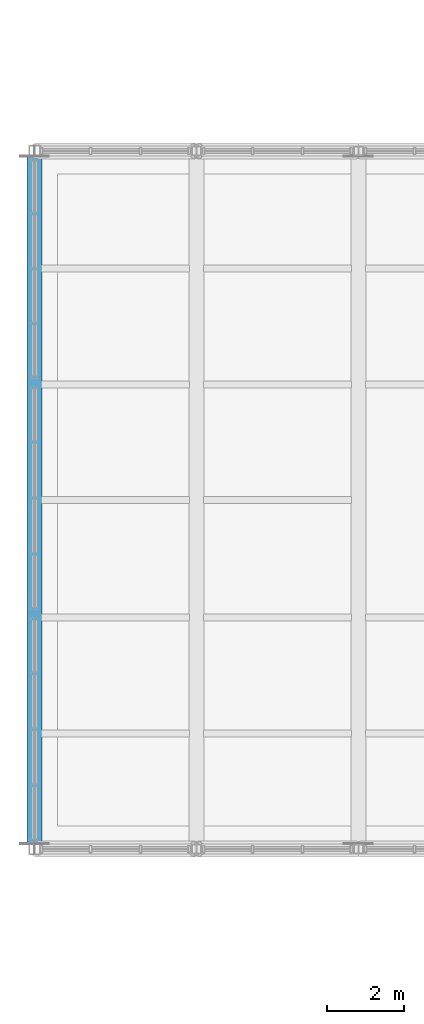
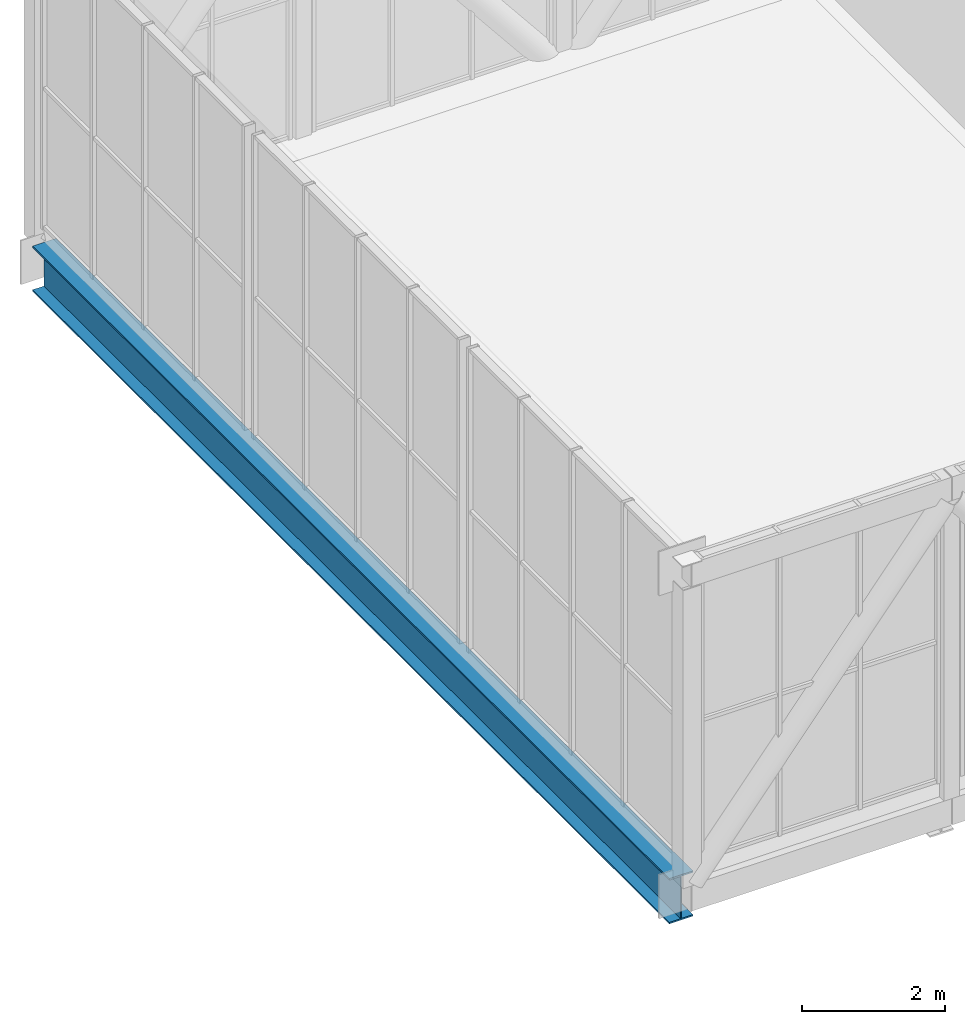
# One storey, part 7 of 58: 1 beam.
"""IFC4 building model written with IfcOpenShell, lengths in metres."""

from ifc_helpers import new_model, si_unit, direction, frame, origin, origin_2d, place, context, subcontext, project, spatial, i_section, extrude, material, material_profile, profile_set, type_object, element, save


model = new_model("IFC4")

# Units and contexts
model_context = context("Model", 3, precision=1e-05, world=origin(), true_north=direction((0.0, 1.0)))
body_context = subcontext(model_context, "Body", "Model", "MODEL_VIEW")
ifc_project = project(units=[si_unit("LENGTHUNIT", "METRE"), si_unit("AREAUNIT", "SQUARE_METRE"), si_unit("VOLUMEUNIT", "CUBIC_METRE"), si_unit("PLANEANGLEUNIT", "RADIAN"), si_unit("MASSUNIT", "GRAM", prefix="KILO")], contexts=[model_context])

# Site, building, storey
site_placement = place(None, origin())
site = spatial("IfcSite", under=ifc_project, at=site_placement, CompositionType="ELEMENT")
building_placement = place(site_placement, origin())
building = spatial("IfcBuilding", under=site, at=building_placement, Name="Khurvash Pelagic Aquarium", CompositionType="ELEMENT")
storey_placement = place(building_placement, frame((0.0, 0.0, 24.60009765625)))
storey = spatial("IfcBuildingStorey", under=building, at=storey_placement, Name="L05", CompositionType="ELEMENT", Elevation=24.60009765625)

# Beam
ifc_material = material(Name="Steel ASTM A992 Grade 50", Category="steel")
ifc_material_profile = material_profile(ifc_material, i_section(OverallWidth=0.381103515625, OverallDepth=0.77197265625, WebThickness=0.0166015625, FlangeThickness=0.027099609375, at=origin_2d()), Name="W30X173")
ifc_profile_set = profile_set([ifc_material_profile], Name="Steel ASTM A992 Grade 50")
beam_type = type_object("IfcBeamType", Name="BM-14", PredefinedType="BEAM", material=ifc_profile_set)
beam_placement = place(storey_placement, frame((12.60009765625, 11.81005859375, -0.68603515625), z_axis=(0.0, 1.0, 0.0), x_axis=(-1.0, 0.0, 0.0)))
element("IfcBeam", 1, at=beam_placement, inside=storey, type_object=beam_type, Name="L05 Sky-Bar Transverse Floor Girder BM-14 N01", PredefinedType="BEAM", context=body_context, shape_type="SweptSolid", body=[
    extrude(i_section(OverallWidth=0.381103515625, OverallDepth=0.77197265625, WebThickness=0.0166015625, FlangeThickness=0.027099609375, at=origin_2d()), origin(), (0.0, 0.0, 1.0), 17.780029296875),
])

save(model, "model.ifc")
